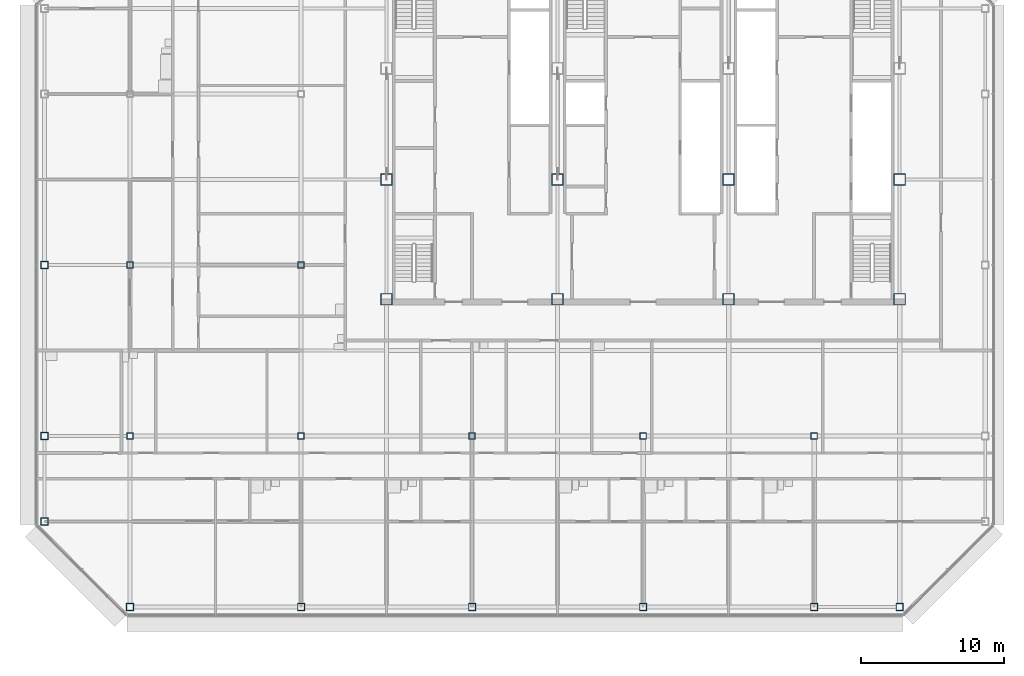
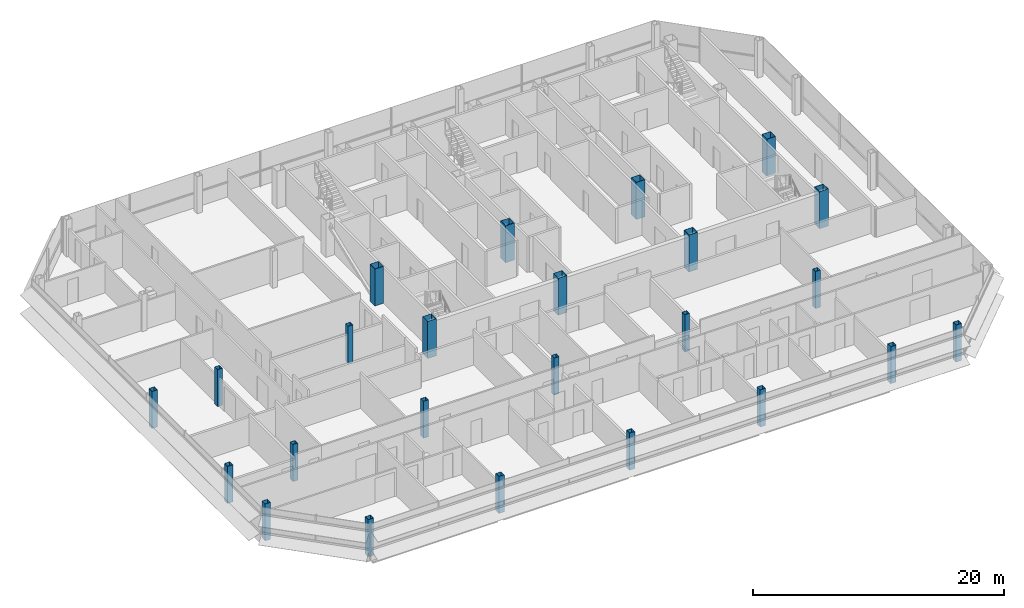
# One storey, part 1 of 28: 24 columns.
"""IFC4 building model written with IfcOpenShell, lengths in metres."""

from ifc_helpers import new_model, si_unit, direction, frame, origin, origin_2d, place, context, subcontext, project, spatial, hollow_rectangle, extrude, material, material_profile, profile_set, type_object, element, save


model = new_model("IFC4")

# Units and contexts
model_context = context("Model", 3, precision=1e-05, world=origin(), true_north=direction((0.0, 1.0)))
body_context = subcontext(model_context, "Body", "Model", "MODEL_VIEW")
ifc_project = project(units=[si_unit("LENGTHUNIT", "METRE"), si_unit("AREAUNIT", "SQUARE_METRE"), si_unit("VOLUMEUNIT", "CUBIC_METRE"), si_unit("PLANEANGLEUNIT", "RADIAN"), si_unit("MASSUNIT", "GRAM", prefix="KILO")], contexts=[model_context])

# Site, building, storey
site_placement = place(None, origin())
site = spatial("IfcSite", under=ifc_project, at=site_placement, CompositionType="ELEMENT")
building_placement = place(site_placement, origin())
building = spatial("IfcBuilding", under=site, at=building_placement, Name="Sorahane Residences", CompositionType="ELEMENT")
storey_placement = place(building_placement, frame((0.0, 0.0, 305.199951171875)))
storey = spatial("IfcBuildingStorey", under=building, at=storey_placement, Name="L72", CompositionType="ELEMENT", Elevation=305.199951171875)

# Columns
ifc_material_1 = material(Name="Steel Q355B", Category="steel")
ifc_material_profile_1 = material_profile(ifc_material_1, hollow_rectangle(XDim=0.449951171875, YDim=0.449951171875, WallThickness=0.02197265625, at=origin_2d()), Name="BOX 450x450x22")
ifc_profile_set_1 = profile_set([ifc_material_profile_1], Name="Steel Q355B")
column_type_1 = type_object("IfcColumnType", Name="Steel box column BOX 450x450x22 Q355B", PredefinedType="COLUMN", material=ifc_profile_set_1)
for number, where, z_axis, x_axis, name in (
    (1, (-12.0, 12.0, 0.0), (0.0, 0.0, 1.0), (1.0, 0.0, 0.0), "Column L72 m12/12"),
    (2, (-12.0, 24.0, 0.0), (0.0, 0.0, 1.0), (1.0, 0.0, 0.0), "Column L72 m12/24"),
    (3, (0.0, 12.0, 0.0), (0.0, 0.0, 1.0), (1.0, 0.0, 0.0), "Column L72 0/12"),
    (4, (0.0, 24.0, 0.0), (0.0, 0.0, 1.0), (1.0, 0.0, 0.0), "Column L72 0/24"),
    (5, (12.0, 12.0, 0.0), (0.0, 0.0, 1.0), (1.0, 0.0, 0.0), "Column L72 12/12"),
    (6, (24.0, 12.0, 0.0), (0.0, 0.0, 1.0), (1.0, 0.0, 0.0), "Column L72 24/12"),
    (7, (36.0, 12.0, 0.0), (0.0, 0.0, 1.0), (1.0, 0.0, 0.0), "Column L72 36/12"),
):
    element("IfcColumn", number, at=place(storey_placement, frame(where, z_axis=z_axis, x_axis=x_axis)), inside=storey, type_object=column_type_1, Name=name, PredefinedType="COLUMN", context=body_context, shape_type="SweptSolid", body=[
        extrude(hollow_rectangle(XDim=0.449951171875, YDim=0.449951171875, WallThickness=0.02197265625, at=origin_2d()), origin(), (0.0, 0.0, 1.0), 3.60009765625),
    ])
ifc_material_2 = material(Name="Steel Q355B", Category="steel")
ifc_material_profile_2 = material_profile(ifc_material_2, hollow_rectangle(XDim=0.5, YDim=0.5, WallThickness=0.02490234375, at=origin_2d()), Name="BOX 500x500x25")
ifc_profile_set_2 = profile_set([ifc_material_profile_2], Name="Steel Q355B")
column_type_2 = type_object("IfcColumnType", Name="Steel box column BOX 500x500x25 Q355B", PredefinedType="COLUMN", material=ifc_profile_set_2)
for number, where, z_axis, x_axis, name in (
    (8, (-18.0, 6.0, 0.0), (0.0, 0.0, 1.0), (1.0, 0.0, 0.0), "Column L72 m18/6"),
    (9, (-18.0, 12.0, 0.0), (0.0, 0.0, 1.0), (1.0, 0.0, 0.0), "Column L72 m18/12"),
    (10, (-18.0, 24.0, 0.0), (0.0, 0.0, 1.0), (1.0, 0.0, 0.0), "Column L72 m18/24"),
    (11, (-12.0, 0.0, 0.0), (0.0, 0.0, 1.0), (1.0, 0.0, 0.0), "Column L72 m12/0"),
    (12, (0.0, 0.0, 0.0), (0.0, 0.0, 1.0), (1.0, 0.0, 0.0), "Column L72 0/0"),
    (13, (12.0, 0.0, 0.0), (0.0, 0.0, 1.0), (1.0, 0.0, 0.0), "Column L72 12/0"),
    (14, (24.0, 0.0, 0.0), (0.0, 0.0, 1.0), (1.0, 0.0, 0.0), "Column L72 24/0"),
    (15, (36.0, 0.0, 0.0), (0.0, 0.0, 1.0), (1.0, 0.0, 0.0), "Column L72 36/0"),
    (16, (42.0, 0.0, 0.0), (0.0, 0.0, 1.0), (1.0, 0.0, 0.0), "Column L72 42/0"),
):
    element("IfcColumn", number, at=place(storey_placement, frame(where, z_axis=z_axis, x_axis=x_axis)), inside=storey, type_object=column_type_2, Name=name, PredefinedType="COLUMN", context=body_context, shape_type="SweptSolid", body=[
        extrude(hollow_rectangle(XDim=0.5, YDim=0.5, WallThickness=0.02490234375, at=origin_2d()), origin(), (0.0, 0.0, 1.0), 3.60009765625),
    ])
ifc_material_3 = material(Name="Steel Q355B", Category="steel")
ifc_material_profile_3 = material_profile(ifc_material_3, hollow_rectangle(XDim=0.800048828125, YDim=0.800048828125, WallThickness=0.02490234375, at=origin_2d()), Name="BOX 800x800x25")
ifc_profile_set_3 = profile_set([ifc_material_profile_3], Name="Steel Q355B")
column_type_3 = type_object("IfcColumnType", Name="Steel box column BOX 800x800x25 Q355B", PredefinedType="COLUMN", material=ifc_profile_set_3)
for number, where, z_axis, x_axis, name in (
    (17, (6.0, 21.60009765625, 0.0), (0.0, 0.0, 1.0), (1.0, 0.0, 0.0), "Column L72 6/21.6"),
    (18, (6.0, 30.0, 0.0), (0.0, 0.0, 1.0), (1.0, 0.0, 0.0), "Column L72 6/30"),
    (19, (18.0, 21.60009765625, 0.0), (0.0, 0.0, 1.0), (1.0, 0.0, 0.0), "Column L72 18/21.6"),
    (20, (18.0, 30.0, 0.0), (0.0, 0.0, 1.0), (1.0, 0.0, 0.0), "Column L72 18/30"),
    (21, (30.0, 21.60009765625, 0.0), (0.0, 0.0, 1.0), (1.0, 0.0, 0.0), "Column L72 30/21.6"),
    (22, (30.0, 30.0, 0.0), (0.0, 0.0, 1.0), (1.0, 0.0, 0.0), "Column L72 30/30"),
    (23, (42.0, 21.60009765625, 0.0), (0.0, 0.0, 1.0), (1.0, 0.0, 0.0), "Column L72 42/21.6"),
    (24, (42.0, 30.0, 0.0), (0.0, 0.0, 1.0), (1.0, 0.0, 0.0), "Column L72 42/30"),
):
    element("IfcColumn", number, at=place(storey_placement, frame(where, z_axis=z_axis, x_axis=x_axis)), inside=storey, type_object=column_type_3, Name=name, PredefinedType="COLUMN", context=body_context, shape_type="SweptSolid", body=[
        extrude(hollow_rectangle(XDim=0.800048828125, YDim=0.800048828125, WallThickness=0.02490234375, at=origin_2d()), origin(), (0.0, 0.0, 1.0), 3.60009765625),
    ])

save(model, "model.ifc")
